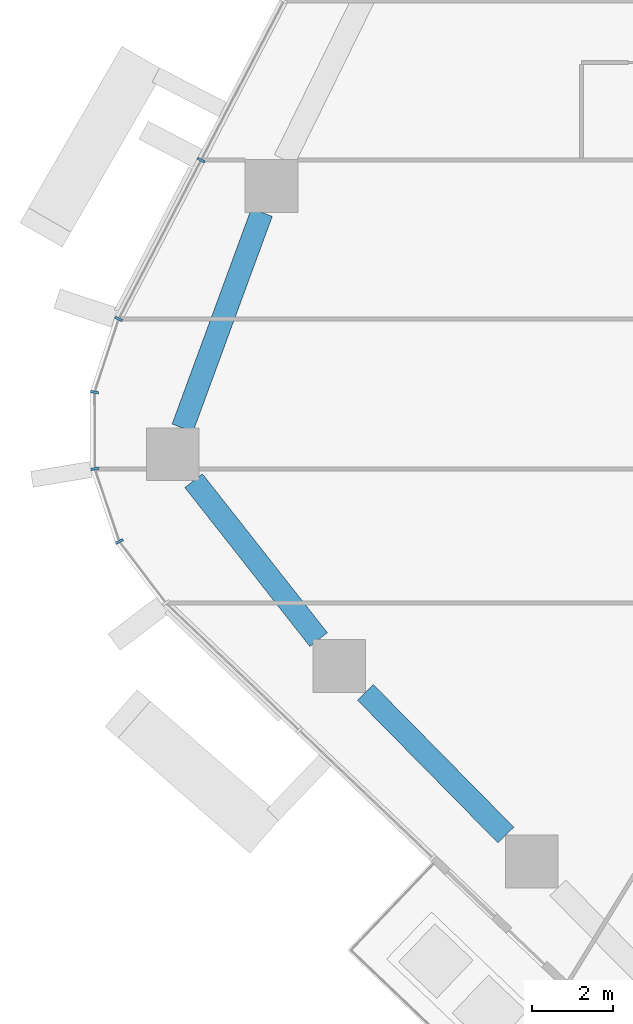
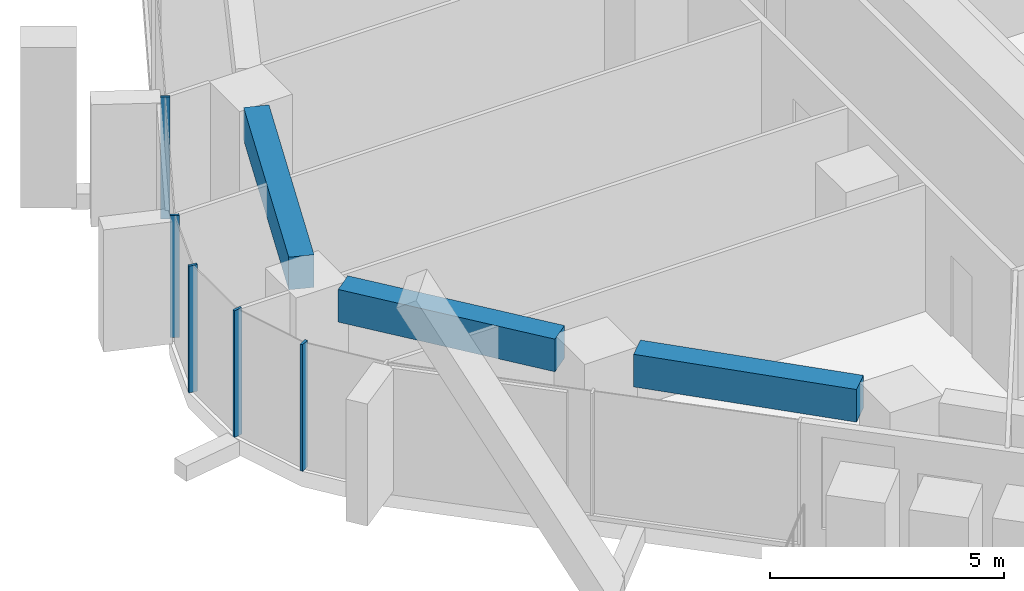
# One storey, part 3 of 24: 5 members, 3 beams, 2 elements without a shape of their own.
"""IFC4 building model written with IfcOpenShell, lengths in metres."""

from ifc_helpers import new_model, si_unit, direction, frame, origin, origin_2d, place, context, subcontext, project, spatial, rectangle, extrude, material, layer, layer_set, material_profile, profile_set, type_object, element, aggregate, save


model = new_model("IFC4")

# Units and contexts
model_context = context("Model", 3, precision=1e-05, world=origin(), true_north=direction((0.0, 1.0)))
body_context = subcontext(model_context, "Body", "Model", "MODEL_VIEW")
ifc_project = project(units=[si_unit("LENGTHUNIT", "METRE"), si_unit("AREAUNIT", "SQUARE_METRE"), si_unit("VOLUMEUNIT", "CUBIC_METRE"), si_unit("PLANEANGLEUNIT", "RADIAN"), si_unit("MASSUNIT", "GRAM", prefix="KILO")], contexts=[model_context])

# Site, building, storey
site_placement = place(None, origin())
site = spatial("IfcSite", under=ifc_project, at=site_placement, CompositionType="ELEMENT")
building_placement = place(site_placement, origin())
building = spatial("IfcBuilding", under=site, at=building_placement, Name="Dongbaek Canopy Tower", CompositionType="ELEMENT")
storey_placement = place(building_placement, frame((0.0, 0.0, 113.699951171875)))
storey = spatial("IfcBuildingStorey", under=building, at=storey_placement, Name="L24", CompositionType="ELEMENT", Elevation=113.699951171875)

# Curtain wall, members
ifc_material_1 = material(Name="Aluminium 6063-T6 pale anodised", Category="aluminium")
ifc_layer = layer(ifc_material_1, 0.199951171875)
ifc_layer_set = layer_set([ifc_layer], Name="CW-1 unitised tower curtain wall")
curtain_wall_type = type_object("IfcCurtainWallType", Name="CW-1 unitised tower curtain wall", PredefinedType="NOTDEFINED", material=ifc_layer_set)
curtain_wall_1_placement = place(storey_placement, origin())
curtain_wall_1 = element("IfcCurtainWall", 1, at=curtain_wall_1_placement, inside=storey, type_object=curtain_wall_type, Name="CW-1 curtain wall F2.1", PredefinedType="NOTDEFINED")
ifc_material_2 = material(Name="Aluminium 6063-T6 pale anodised", Category="aluminium")
ifc_material_profile_1 = material_profile(ifc_material_2, rectangle(XDim=0.199951171875, YDim=0.06005859375, at=origin_2d()), Name="CW-1 mullion 60 x 200")
ifc_profile_set_1 = profile_set([ifc_material_profile_1], Name="Aluminium 6063-T6 pale anodised")
member_type = type_object("IfcMemberType", Name="CW-1 mullion 60 x 200", PredefinedType="MULLION", material=ifc_profile_set_1)
member_1_placement = place(storey_placement, frame((-29.428466796875, 0.723876953125, 0.1201171875), z_axis=(0.0, 0.0, 1.0), x_axis=(-0.887462609411, 0.460879720641, 0.0)))
member_1 = element("IfcMember", 2, at=member_1_placement, type_object=member_type, Name="CW-1 mullion F2.1.7", PredefinedType="MULLION", context=body_context, shape_type="SweptSolid", body=[
    extrude(rectangle(XDim=0.199951171875, YDim=0.06005859375, at=origin_2d()), origin(), (0.0, 0.0, 1.0), 3.179931640625),
])
member_2_placement = place(storey_placement, frame((-31.46142578125, -3.19091796875, 0.1201171875), z_axis=(0.0, 0.0, 1.0), x_axis=(-0.887462609411, 0.460879720641, 0.0)))
member_2 = element("IfcMember", 3, at=member_2_placement, type_object=member_type, Name="CW-1 mullion F2.1.8", PredefinedType="MULLION", context=body_context, shape_type="SweptSolid", body=[
    extrude(rectangle(XDim=0.199951171875, YDim=0.06005859375, at=origin_2d()), origin(), (0.0, 0.0, 1.0), 3.179931640625),
])
aggregate(curtain_wall_1, [member_1, member_2])

curtain_wall_2_placement = place(storey_placement, origin())
curtain_wall_2 = element("IfcCurtainWall", 4, at=curtain_wall_2_placement, inside=storey, type_object=curtain_wall_type, Name="CW-1 curtain wall K3.1", PredefinedType="NOTDEFINED")
member_3_placement = place(storey_placement, frame((-32.05517578125, -4.994384765625, 0.0), z_axis=(0.0, 0.0, 1.0), x_axis=(-0.987688354383, 0.156434377986, 0.0)))
member_3 = element("IfcMember", 5, at=member_3_placement, type_object=member_type, Name="CW-1 mullion K3.1.2", PredefinedType="MULLION", context=body_context, shape_type="SweptSolid", body=[
    extrude(rectangle(XDim=0.199951171875, YDim=0.06005859375, at=origin_2d()), origin(), (0.0, 0.0, 1.0), 3.300048828125),
])
member_4_placement = place(storey_placement, frame((-32.0478515625, -6.885009765625, 0.0), z_axis=(0.0, 0.0, 1.0), x_axis=(-0.986446734768, -0.164081807235, 0.0)))
member_4 = element("IfcMember", 6, at=member_4_placement, type_object=member_type, Name="CW-1 mullion K3.1.3", PredefinedType="MULLION", context=body_context, shape_type="SweptSolid", body=[
    extrude(rectangle(XDim=0.199951171875, YDim=0.06005859375, at=origin_2d()), origin(), (0.0, 0.0, 1.0), 3.300048828125),
])
member_5_placement = place(storey_placement, frame((-31.44287109375, -8.67626953125, 0.0), z_axis=(0.0, 0.0, 1.0), x_axis=(-0.883865304838, -0.467741512914, 0.0)))
member_5 = element("IfcMember", 7, at=member_5_placement, type_object=member_type, Name="CW-1 mullion K3.1.4", PredefinedType="MULLION", context=body_context, shape_type="SweptSolid", body=[
    extrude(rectangle(XDim=0.199951171875, YDim=0.06005859375, at=origin_2d()), origin(), (0.0, 0.0, 1.0), 3.300048828125),
])
aggregate(curtain_wall_2, [member_3, member_4, member_5])

# Beams
ifc_material_3 = material(Name="Concrete C80", Category="concrete")
ifc_material_profile_2 = material_profile(ifc_material_3, rectangle(XDim=0.550048828125, YDim=0.85009765625, at=origin_2d()), Name="RC EDGE BEAM 550x850 C80")
ifc_profile_set_2 = profile_set([ifc_material_profile_2], Name="Concrete C80")
beam_type = type_object("IfcBeamType", Name="RC EDGE BEAM 550x850 C80", PredefinedType="BEAM", material=ifc_profile_set_2)
beam_1_placement = place(storey_placement, frame((-21.9169921875, -15.909912109375, 2.875), z_axis=(-0.70172014863, 0.712452688259, 0.0), x_axis=(-0.712452688259, -0.70172014863, 0.0)))
element("IfcBeam", 8, at=beam_1_placement, inside=storey, type_object=beam_type, Name="EDGEBEAM:L24:06", PredefinedType="BEAM", context=body_context, shape_type="SweptSolid", body=[
    extrude(rectangle(XDim=0.550048828125, YDim=0.85009765625, at=origin_2d()), origin(), (0.0, 0.0, 1.0), 4.936279296875),
])
beam_2_placement = place(storey_placement, frame((-26.532470703125, -11.093017578125, 2.875), z_axis=(-0.618340753303, 0.78591011751, 0.0), x_axis=(-0.78591011751, -0.618340753303, 0.0)))
element("IfcBeam", 9, at=beam_2_placement, inside=storey, type_object=beam_type, Name="EDGEBEAM:L24:07", PredefinedType="BEAM", context=body_context, shape_type="SweptSolid", body=[
    extrude(rectangle(XDim=0.550048828125, YDim=0.85009765625, at=origin_2d()), origin(), (0.0, 0.0, 1.0), 4.982666015625),
])
beam_3_placement = place(storey_placement, frame((-29.8857421875, -5.876953125, 2.875), z_axis=(0.345281407117, 0.938499200799, 0.0), x_axis=(-0.938499200799, 0.345281407117, 0.0)))
element("IfcBeam", 10, at=beam_3_placement, inside=storey, type_object=beam_type, Name="EDGEBEAM:L24:08", PredefinedType="BEAM", context=body_context, shape_type="SweptSolid", body=[
    extrude(rectangle(XDim=0.550048828125, YDim=0.85009765625, at=origin_2d()), origin(), (0.0, 0.0, 1.0), 5.657958984375),
])

save(model, "model.ifc")
